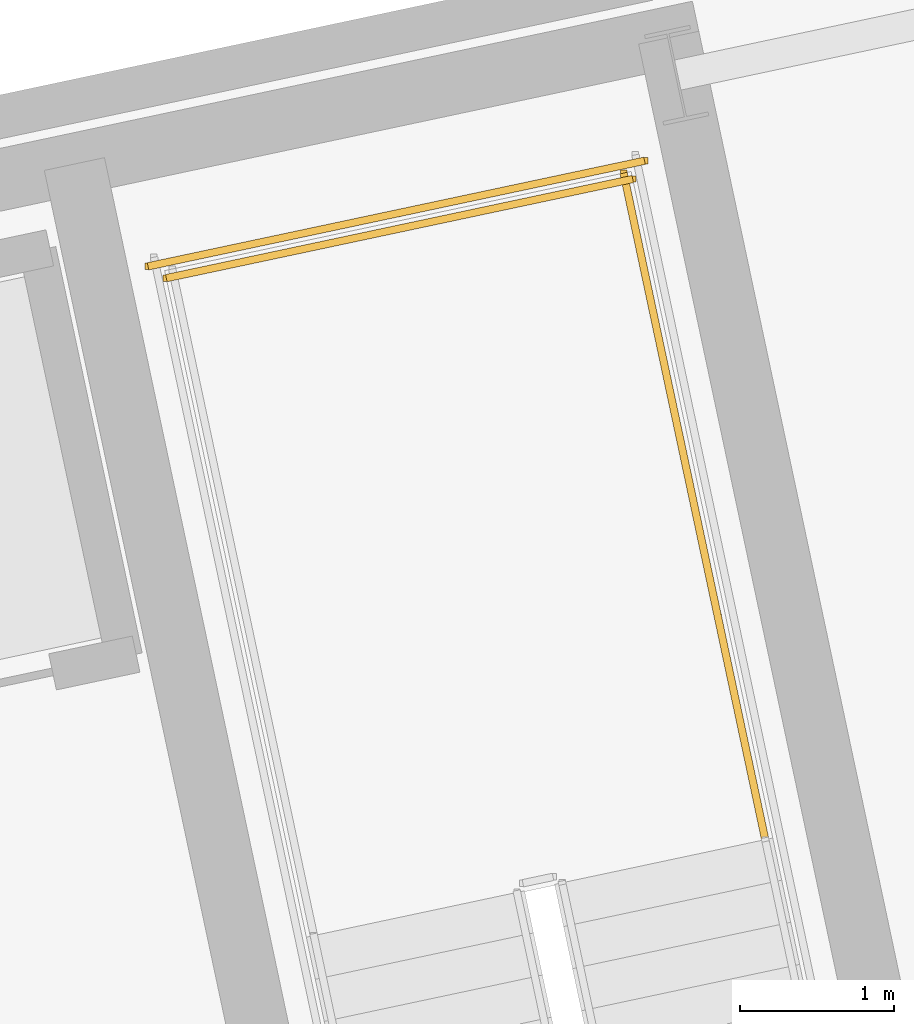
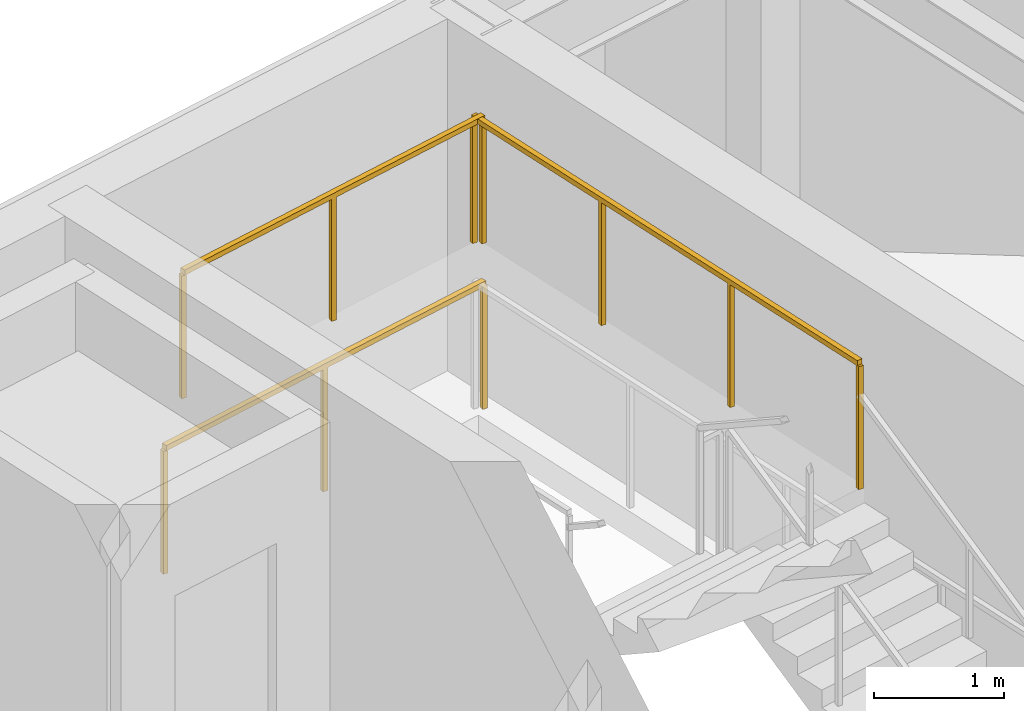
# One storey, part 13 of 14: 3 railings.
"""IFC4 building model written with IfcOpenShell, lengths in metres."""

from ifc_helpers import new_model, si_unit, direction, frame, origin, origin_2d, place, context, subcontext, project, spatial, rectangle, extrude, material, type_object, element, save


model = new_model("IFC4")

# Units and contexts
model_context = context("Model", 3, precision=1e-05, world=origin(), true_north=direction((0.0, 1.0)))
body_context = subcontext(model_context, "Body", "Model", "MODEL_VIEW")
ifc_project = project(units=[si_unit("LENGTHUNIT", "METRE"), si_unit("AREAUNIT", "SQUARE_METRE"), si_unit("VOLUMEUNIT", "CUBIC_METRE"), si_unit("PLANEANGLEUNIT", "RADIAN"), si_unit("MASSUNIT", "GRAM", prefix="KILO")], contexts=[model_context])

# Site, building, storey
site_placement = place(None, origin())
site = spatial("IfcSite", under=ifc_project, at=site_placement, CompositionType="ELEMENT")
building_placement = place(site_placement, origin())
building = spatial("IfcBuilding", under=site, at=building_placement, Name="Haevon Station Towers", CompositionType="ELEMENT")
storey_placement = place(building_placement, frame((0.0, 0.0, 205.5)))
storey = spatial("IfcBuildingStorey", under=building, at=storey_placement, Name="L56", CompositionType="ELEMENT", Elevation=205.5)

# Railings
ifc_material = material(Name="Steel S355", Category="steel")
railing_type = type_object("IfcRailingType", Name="GRD-STR1200", PredefinedType="GUARDRAIL", material=ifc_material)
railing_1_placement = place(storey_placement, frame((117.925048828125, 45.9853515625, 1.64990234375)))
element("IfcRailing", 1, at=railing_1_placement, inside=storey, type_object=railing_type, Name="L56 ST4 Stair Guard 3", PredefinedType="GUARDRAIL", context=body_context, shape_type="SweptSolid", body=[
    extrude(rectangle(XDim=0.048095703125, YDim=0.048095703125, at=origin_2d()), frame((0.0, 0.0, 1.17578125), z_axis=(-0.207876551949, 0.978155069071, 0.0), x_axis=(-0.978155069071, -0.207876551949, 0.0)), (0.0, 0.0, 1.0), 4.429931640625),
    extrude(rectangle(XDim=0.0419921875, YDim=0.0419921875, at=origin_2d()), origin(), (0.0, 0.0, 1.0), 1.15185546875),
    extrude(rectangle(XDim=0.0419921875, YDim=0.0419921875, at=origin_2d()), frame((-0.306884765625, 1.4443359375, 0.0)), (0.0, 0.0, 1.0), 1.15185546875),
    extrude(rectangle(XDim=0.0419921875, YDim=0.0419921875, at=origin_2d()), frame((-0.614013671875, 2.888916015625, 0.0)), (0.0, 0.0, 1.0), 1.15185546875),
    extrude(rectangle(XDim=0.0419921875, YDim=0.0419921875, at=origin_2d()), frame((-0.9208984375, 4.333251953125, 0.0)), (0.0, 0.0, 1.0), 1.15185546875),
])
railing_2_placement = place(storey_placement, frame((117.0634765625, 50.280029296875, 1.64990234375)))
element("IfcRailing", 2, at=railing_2_placement, inside=storey, type_object=railing_type, Name="L56 ST4 Stair Guard 5", PredefinedType="GUARDRAIL", context=body_context, shape_type="SweptSolid", body=[
    extrude(rectangle(XDim=0.048095703125, YDim=0.048095703125, at=origin_2d()), frame((0.0, 0.0, 1.17578125), z_axis=(-0.978146839882, -0.207915270313, 0.0), x_axis=(0.207915270313, -0.978146839882, 0.0)), (0.0, 0.0, 1.0), 3.099853515625),
    extrude(rectangle(XDim=0.0419921875, YDim=0.0419921875, at=origin_2d()), origin(), (0.0, 0.0, 1.0), 1.15185546875),
    extrude(rectangle(XDim=0.0419921875, YDim=0.0419921875, at=origin_2d()), frame((-1.51611328125, -0.322265625, 0.0)), (0.0, 0.0, 1.0), 1.15185546875),
    extrude(rectangle(XDim=0.0419921875, YDim=0.0419921875, at=origin_2d()), frame((-3.0322265625, -0.64453125, 0.0)), (0.0, 0.0, 1.0), 1.15185546875),
])
railing_3_placement = place(storey_placement, frame((117.140380859375, 50.398681640625, 0.0)))
element("IfcRailing", 3, at=railing_3_placement, inside=storey, type_object=railing_type, Name="L56 ST4 Stair Guard 12", PredefinedType="GUARDRAIL", context=body_context, shape_type="SweptSolid", body=[
    extrude(rectangle(XDim=0.048095703125, YDim=0.048095703125, at=origin_2d()), frame((0.0, 0.0, 1.17578125), z_axis=(-0.978135717418, -0.207967589567, 0.0), x_axis=(0.207967589567, -0.978135717418, 0.0)), (0.0, 0.0, 1.0), 3.300048828125),
    extrude(rectangle(XDim=0.0419921875, YDim=0.0419921875, at=origin_2d()), origin(), (0.0, 0.0, 1.0), 1.15185546875),
    extrude(rectangle(XDim=0.0419921875, YDim=0.0419921875, at=origin_2d()), frame((-1.61376953125, -0.34326171875, 0.0)), (0.0, 0.0, 1.0), 1.15185546875),
    extrude(rectangle(XDim=0.0419921875, YDim=0.0419921875, at=origin_2d()), frame((-3.227783203125, -0.686279296875, 0.0)), (0.0, 0.0, 1.0), 1.15185546875),
])

save(model, "model.ifc")
